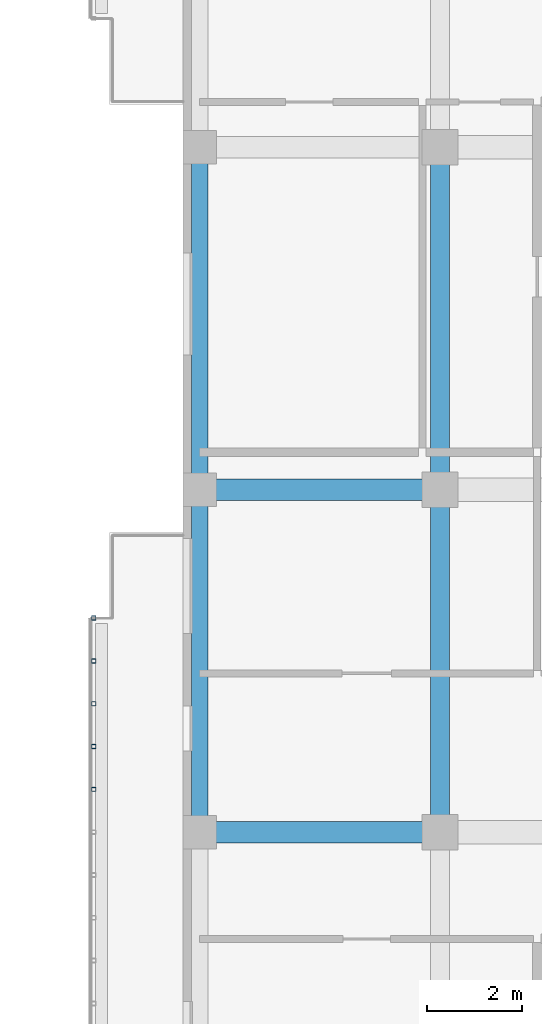
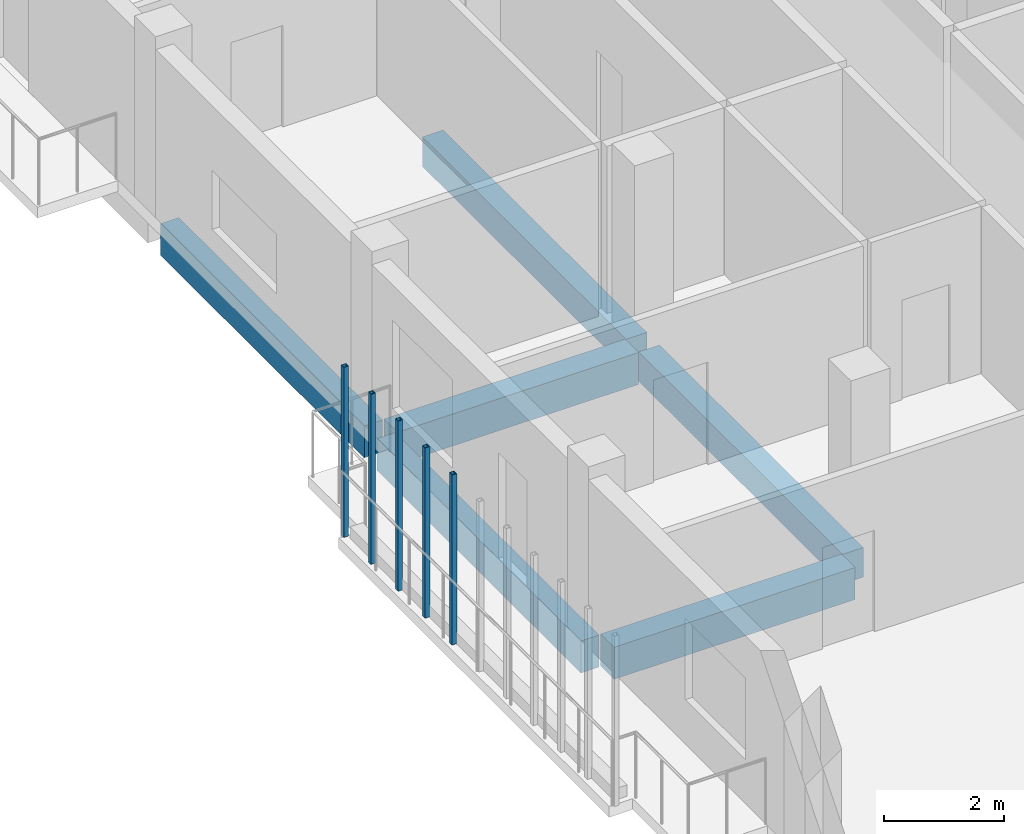
# One storey, part 25 of 73: 6 beams, 5 members.
"""IFC4 building model written with IfcOpenShell, lengths in metres."""

from ifc_helpers import new_model, si_unit, derived_unit, direction, frame, origin, origin_2d, place, context, subcontext, project, spatial, rectangle, hollow_rectangle, extrude, material, material_profile, profile_set, type_object, element, save


model = new_model("IFC4")

# Units and contexts
model_context = context("Model", 3, precision=1e-05, world=origin(), true_north=direction((0.0, 1.0)))
body_context = subcontext(model_context, "Body", "Model", "MODEL_VIEW")
ifc_project = project(units=[si_unit("LENGTHUNIT", "METRE"), si_unit("AREAUNIT", "SQUARE_METRE"), si_unit("VOLUMEUNIT", "CUBIC_METRE"), si_unit("PLANEANGLEUNIT", "RADIAN"), si_unit("MASSUNIT", "GRAM", prefix="KILO"), derived_unit("THERMALTRANSMITTANCEUNIT", [(si_unit("MASSUNIT", "GRAM", prefix="KILO"), 1), (si_unit("TIMEUNIT", "SECOND"), -3), (si_unit("THERMODYNAMICTEMPERATUREUNIT", "KELVIN"), -1)])], contexts=[model_context])

# Site, building, storey
site_placement = place(None, origin())
site = spatial("IfcSite", under=ifc_project, at=site_placement, CompositionType="ELEMENT")
building_placement = place(site_placement, origin())
building = spatial("IfcBuilding", under=site, at=building_placement, Name="Ochrekiln Boulevard Commons", CompositionType="ELEMENT")
storey_placement = place(building_placement, frame((0.0, 0.0, 4.89990234375)))
storey = spatial("IfcBuildingStorey", under=building, at=storey_placement, Name="L01", CompositionType="ELEMENT", Elevation=4.89990234375)

# Beams
ifc_material_1 = material(Name="Concrete C35/45", Category="concrete")
ifc_material_profile_1 = material_profile(ifc_material_1, rectangle(XDim=0.39990234375, YDim=0.60009765625, at=origin_2d()), Name="RC-BM-400x600")
ifc_profile_set_1 = profile_set([ifc_material_profile_1], Name="Concrete C35/45")
beam_type_1 = type_object("IfcBeamType", Name="BM-RC-400x600", PredefinedType="BEAM", material=ifc_profile_set_1)
for number, where, z_axis, x_axis, name in (
    (1, (156.60009765625, 83.010009765625, -0.559814453125), (0.0, 1.0, 0.0), (-1.0, 0.0, 0.0), "Block B L01 Beam B-4060 Y32"),
    (2, (156.60009765625, 90.2099609375, -0.559814453125), (0.0, 1.0, 0.0), (-1.0, 0.0, 0.0), "Block B L01 Beam B-4060 Y33"),
):
    element("IfcBeam", number, at=place(storey_placement, frame(where, z_axis=z_axis, x_axis=x_axis)), inside=storey, type_object=beam_type_1, Name=name, PredefinedType="BEAM", context=body_context, shape_type="SweptSolid", body=[
        extrude(rectangle(XDim=0.39990234375, YDim=0.60009765625, at=origin_2d()), origin(), (0.0, 0.0, 1.0), 6.780029296875),
    ])
ifc_material_profile_2 = material_profile(ifc_material_1, rectangle(XDim=0.449951171875, YDim=0.64990234375, at=origin_2d()), Name="RC-BM-450x650")
ifc_profile_set_2 = profile_set([ifc_material_profile_2], Name="Concrete C35/45")
beam_type_2 = type_object("IfcBeamType", Name="BM-RC-450x650", PredefinedType="BEAM", material=ifc_profile_set_2)
for number, where, z_axis, x_axis, name in (
    (3, (151.760009765625, 82.800048828125, -0.5849609375), (1.0, 0.0, 0.0), (0.0, 1.0, 0.0), "Block B L01 Beam B-4565 X6"),
    (4, (151.760009765625, 90.0, -0.5849609375), (1.0, 0.0, 0.0), (0.0, 1.0, 0.0), "Block B L01 Beam B-4565 X9"),
):
    element("IfcBeam", number, at=place(storey_placement, frame(where, z_axis=z_axis, x_axis=x_axis)), inside=storey, type_object=beam_type_2, Name=name, PredefinedType="BEAM", context=body_context, shape_type="SweptSolid", body=[
        extrude(rectangle(XDim=0.449951171875, YDim=0.64990234375, at=origin_2d()), origin(), (0.0, 0.0, 1.0), 4.6298828125),
    ])

# Members
ifc_material_2 = material(Name="Steel A500 Grade C", Category="steel")
ifc_material_profile_3 = material_profile(ifc_material_2, hollow_rectangle(XDim=0.090087890625, YDim=0.090087890625, WallThickness=0.00634765625, at=origin_2d()), Name="HSS90X90X6.4")
ifc_profile_set_3 = profile_set([ifc_material_profile_3], Name="Steel A500 Grade C")
member_type = type_object("IfcMemberType", Name="MEM-PST-HSS90", PredefinedType="POST", material=ifc_profile_set_3)
for number, where, z_axis, x_axis, name in (
    (5, (149.320068359375, 83.699951171875, 0.0), (0.0, 0.0, 1.0), (1.0, 0.0, 0.0), "Block B L01 Slim Vertical Balcony Post (150)"),
    (6, (149.320068359375, 84.60009765625, 0.0), (0.0, 0.0, 1.0), (1.0, 0.0, 0.0), "Block B L01 Slim Vertical Balcony Post (151)"),
    (7, (149.320068359375, 85.5, 0.0), (0.0, 0.0, 1.0), (1.0, 0.0, 0.0), "Block B L01 Slim Vertical Balcony Post (152)"),
    (8, (149.320068359375, 86.39990234375, 0.0), (0.0, 0.0, 1.0), (1.0, 0.0, 0.0), "Block B L01 Slim Vertical Balcony Post (153)"),
    (9, (149.320068359375, 87.300048828125, 0.0), (0.0, 0.0, 1.0), (1.0, 0.0, 0.0), "Block B L01 Slim Vertical Balcony Post (154)"),
):
    element("IfcMember", number, at=place(storey_placement, frame(where, z_axis=z_axis, x_axis=x_axis)), inside=storey, type_object=member_type, Name=name, PredefinedType="POST", context=body_context, shape_type="SweptSolid", body=[
        extrude(hollow_rectangle(XDim=0.090087890625, YDim=0.090087890625, WallThickness=0.00634765625, at=origin_2d()), origin(), (0.0, 0.0, 1.0), 3.455078125),
    ])

# Beams
ifc_material_3 = material(Name="Concrete C40/50", Category="concrete")
ifc_material_profile_4 = material_profile(ifc_material_3, rectangle(XDim=0.35009765625, YDim=0.64990234375, at=origin_2d()), Name="RC-SPN-350x650")
ifc_profile_set_4 = profile_set([ifc_material_profile_4], Name="Concrete C40/50")
beam_type_3 = type_object("IfcBeamType", Name="SPN-RC-350x650", PredefinedType="SPANDREL", material=ifc_profile_set_4)
for number, where, z_axis, x_axis, name in (
    (10, (151.550048828125, 83.010009765625, -0.5849609375), (0.0, 1.0, 0.0), (-1.0, 0.0, 0.0), "Block B L01 Beam SP-3565 Y25"),
    (11, (151.550048828125, 90.2099609375, -0.5849609375), (0.0, 1.0, 0.0), (-1.0, 0.0, 0.0), "Block B L01 Beam SP-3565 Y26"),
):
    element("IfcBeam", number, at=place(storey_placement, frame(where, z_axis=z_axis, x_axis=x_axis)), inside=storey, type_object=beam_type_3, Name=name, PredefinedType="SPANDREL", context=body_context, shape_type="SweptSolid", body=[
        extrude(rectangle(XDim=0.35009765625, YDim=0.64990234375, at=origin_2d()), origin(), (0.0, 0.0, 1.0), 6.780029296875),
    ])

save(model, "model.ifc")
